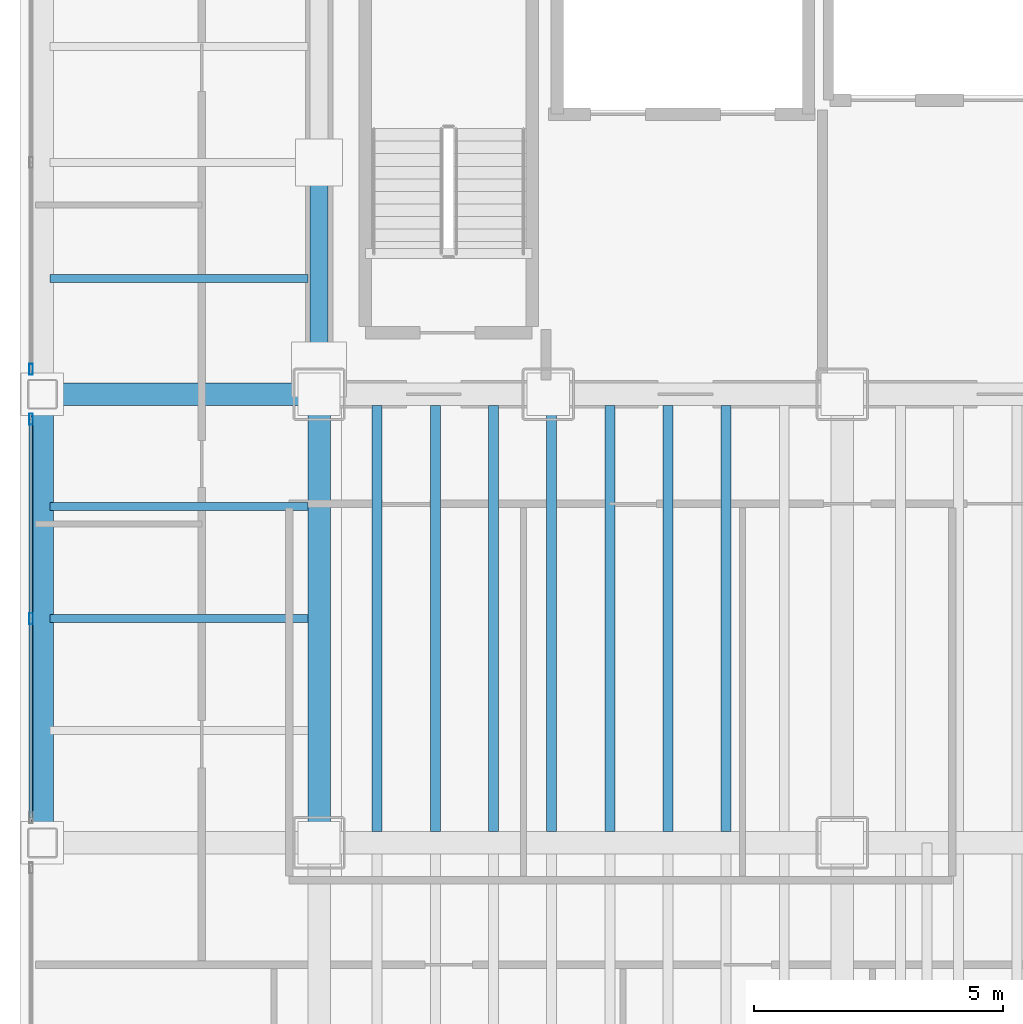
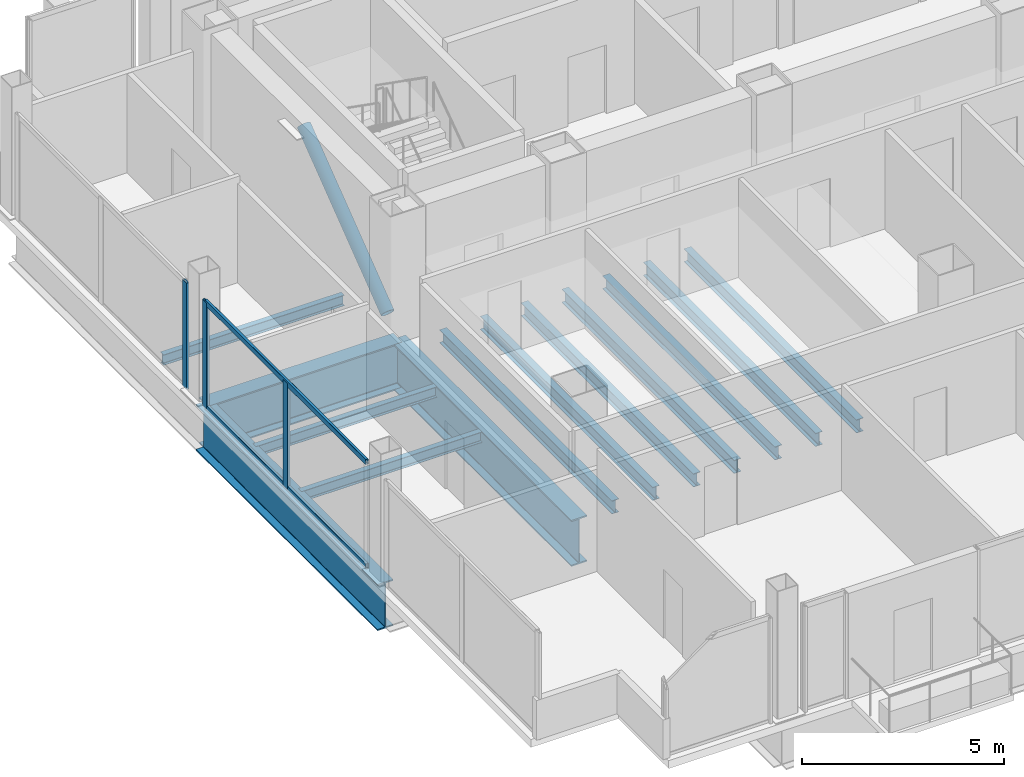
# One storey, part 5 of 21: 13 beams, 6 members, 2 elements without a shape of their own.
"""IFC4 building model written with IfcOpenShell, lengths in metres."""

import ifcopenshell
import ifcopenshell.guid

model = None  # the IFC model being written
_history = None  # IfcOwnerHistory: only IFC2X3 demands one
_inside = {}  # id of a spatial element -> (the spatial element, [elements in it])
_under = {}  # id of a project, library or spatial element -> (it, [spatial elements below it])
_declared = {}  # id of a project -> (the project, [libraries it declares])
_typed = {}  # id of a type object -> (the type object, [elements of that type])
_made_of = {}  # id of a material, layer set ... -> (it, [elements and type objects made of it])


def new_model(schema):
    """Start an empty IFC model of exactly this schema.

    Asked for "IFC4X3", IfcOpenShell would pick the latest addendum, in which some entities
    have other attributes; the version numbers below select the first issue.
    IFC2X3 requires an IfcOwnerHistory on every rooted entity: one is made here for all.
    """
    global model, _history
    if schema == "IFC4X3":
        model = ifcopenshell.file(schema_version=(4, 3, 0, 0))
    else:
        model = ifcopenshell.file(schema=schema)
    _inside.clear()
    _under.clear()
    _declared.clear()
    _typed.clear()
    _made_of.clear()
    _history = None
    if model.schema == "IFC2X3":
        org = make("IfcOrganization", Name="unknown")
        user = make(
            "IfcPersonAndOrganization",
            ThePerson=make("IfcPerson", FamilyName="unknown"),
            TheOrganization=org,
        )
        app = make(
            "IfcApplication",
            ApplicationDeveloper=org,
            Version="unknown",
            ApplicationFullName="unknown",
            ApplicationIdentifier="unknown",
        )
        _history = make(
            "IfcOwnerHistory",
            OwningUser=user,
            OwningApplication=app,
            ChangeAction="ADDED",
            CreationDate=0,
        )
    return model


def make(cls, **values):
    """One entity of the class cls with the attributes given. An attribute that is None is left unset."""
    return model.create_entity(
        cls, **{name: value for name, value in values.items() if value is not None}
    )


def rooted(cls, **values):
    """An entity with a GlobalId (a new one), such as an element, a storey or a relation."""
    return make(cls, GlobalId=ifcopenshell.guid.new(), OwnerHistory=_history, **values)


def si_unit(unit_type, name, prefix=None):
    """IfcSIUnit, for example si_unit("LENGTHUNIT", "METRE", prefix="MILLI")."""
    return make("IfcSIUnit", UnitType=unit_type, Prefix=prefix, Name=name)


def assignment(units):
    """IfcUnitAssignment: the units of a project."""
    return None if units is None else make("IfcUnitAssignment", Units=units)


def point(xyz):
    """IfcCartesianPoint."""
    return None if xyz is None else make("IfcCartesianPoint", Coordinates=xyz)


def direction(xyz):
    """IfcDirection."""
    return None if xyz is None else make("IfcDirection", DirectionRatios=xyz)


def frame(location, z_axis=None, x_axis=None):
    """IfcAxis2Placement3D, a coordinate frame: its origin and axes. An axis left out is left unset."""
    return make(
        "IfcAxis2Placement3D",
        Location=point(location),
        Axis=direction(z_axis),
        RefDirection=direction(x_axis),
    )


def frame_2d(location, x_axis=None):
    """IfcAxis2Placement2D, a coordinate frame in the plane: its origin and x axis."""
    return make(
        "IfcAxis2Placement2D", Location=point(location), RefDirection=direction(x_axis)
    )


def origin():
    """The frame at (0, 0, 0) with its axes left unset."""
    return frame((0.0, 0.0, 0.0))


def origin_2d():
    """The frame at (0, 0) in the plane with its x axis left unset."""
    return frame_2d((0.0, 0.0))


def place(relative_to, where):
    """IfcLocalPlacement: puts the frame where relative to a parent placement (None: the world)."""
    return make(
        "IfcLocalPlacement", PlacementRelTo=relative_to, RelativePlacement=where
    )


def context(
    kind, dimensions, precision=None, world=None, true_north=None, identifier=None
):
    """IfcGeometricRepresentationContext, for example the 3D "Model" context."""
    return make(
        "IfcGeometricRepresentationContext",
        ContextIdentifier=identifier,
        ContextType=kind,
        CoordinateSpaceDimension=dimensions,
        Precision=precision,
        WorldCoordinateSystem=world,
        TrueNorth=true_north,
    )


def subcontext(parent, identifier, kind, view, scale=None):
    """IfcGeometricRepresentationSubContext, for example "Body" below "Model"."""
    return make(
        "IfcGeometricRepresentationSubContext",
        ContextIdentifier=identifier,
        ContextType=kind,
        ParentContext=parent,
        TargetScale=scale,
        TargetView=view,
    )


def project(units=None, contexts=None):
    """IfcProject with its units and contexts."""
    return rooted(
        "IfcProject",
        Name="project",
        RepresentationContexts=contexts,
        UnitsInContext=assignment(units),
    )


def spatial(cls, under=None, at=None, **own):
    """A site, building, storey or space (cls), placed at a placement, below another one or the project."""
    s = rooted(cls, ObjectPlacement=at, **own)
    if under is not None:
        _under.setdefault(under.id(), (under, []))[1].append(s)
    return s


def profile(cls, at=None, kind="AREA", **sizes):
    """A parametric profile (cls). Its sizes go by their IFC names, for example OverallWidth=200.0."""
    return make(cls, ProfileType=kind, Position=at, **sizes)


def hollow_rectangle(**sizes):
    """IfcRectangleHollowProfileDef."""
    return profile("IfcRectangleHollowProfileDef", **sizes)


def hollow_circle(**sizes):
    """IfcCircleHollowProfileDef."""
    return profile("IfcCircleHollowProfileDef", **sizes)


def i_section(**sizes):
    """IfcIShapeProfileDef."""
    return profile("IfcIShapeProfileDef", **sizes)


def extrude(swept, where, along, depth):
    """IfcExtrudedAreaSolid: the profile swept, set in the frame where, extruded along a direction by depth."""
    return make(
        "IfcExtrudedAreaSolid",
        SweptArea=swept,
        Position=where,
        ExtrudedDirection=direction(along),
        Depth=depth,
    )


def shape(context_of_items, identifier, shape_type, items):
    """IfcShapeRepresentation: the items that make up one representation, for example the "Body"."""
    return make(
        "IfcShapeRepresentation",
        ContextOfItems=context_of_items,
        RepresentationIdentifier=identifier,
        RepresentationType=shape_type,
        Items=items,
    )


def material(Name=None, Category=None):
    """IfcMaterial."""
    return make("IfcMaterial", Name=Name, Category=Category)


def material_profile(
    of_material, cross_section, Name=None, Category=None, Priority=None
):
    """IfcMaterialProfile: a cross section and its material."""
    return make(
        "IfcMaterialProfile",
        Name=Name,
        Material=of_material,
        Profile=cross_section,
        Priority=Priority,
        Category=Category,
    )


def profile_set(profiles, Name=None, composite=None):
    """IfcMaterialProfileSet."""
    return make(
        "IfcMaterialProfileSet",
        Name=Name,
        MaterialProfiles=profiles,
        CompositeProfile=composite,
    )


def made_of(thing, what):
    """Note that an element or type object is made of a material, layer set ...; save() writes the relation."""
    if what is not None:
        _made_of.setdefault(what.id(), (what, []))[1].append(thing)
    return thing


def type_object(cls, material=None, **own):
    """A type object (cls), such as IfcWallType, which elements share."""
    return made_of(rooted(cls, **own), material)


def element(
    cls,
    number,
    at=None,
    inside=None,
    cuts=None,
    type_object=None,
    material=None,
    context=None,
    identifier="Body",
    shape_type=None,
    held_by="IfcProductDefinitionShape",
    body=None,
    shapes=None,
    **own,
):
    """One element of the class cls, such as IfcWall. Its Tag is "e" and its number.

    at: its placement. inside: the storey or other place that contains it. cuts: it is an
    opening in that element (IfcRelVoidsElement). A single representation is given by context,
    identifier, shape_type and body (its items); several are given by shapes. held_by: the class
    of the entity that holds the representations. save() writes the other relations.
    """
    e = rooted(cls, Tag="e%d" % number, ObjectPlacement=at, **own)
    if body is not None:
        shapes = [shape(context, identifier, shape_type, body)]
    if shapes is not None:
        e.Representation = make(held_by, Representations=shapes)
    if inside is not None:
        _inside.setdefault(inside.id(), (inside, []))[1].append(e)
    if cuts is not None:
        rooted(
            "IfcRelVoidsElement", RelatingBuildingElement=cuts, RelatedOpeningElement=e
        )
    if type_object is not None:
        _typed.setdefault(type_object.id(), (type_object, []))[1].append(e)
    return made_of(e, material)


def aggregate(whole, parts):
    """IfcRelAggregates: a whole, such as a stair, and the parts it consists of."""
    return rooted("IfcRelAggregates", RelatingObject=whole, RelatedObjects=parts)


def save(model, path):
    """Write the relations noted so far, then the file.

    IfcRelAggregates (storeys below a building ...), IfcRelContainedInSpatialStructure (elements
    in a storey), IfcRelDefinesByType, IfcRelAssociatesMaterial and IfcRelDeclares: one each for
    every whole, place, type object, material and project.
    """
    for whole, parts in _under.values():
        aggregate(whole, parts)
    for where, things in _inside.values():
        rooted(
            "IfcRelContainedInSpatialStructure",
            RelatedElements=things,
            RelatingStructure=where,
        )
    for kind, things in _typed.values():
        rooted("IfcRelDefinesByType", RelatedObjects=things, RelatingType=kind)
    for what, things in _made_of.values():
        rooted("IfcRelAssociatesMaterial", RelatedObjects=things, RelatingMaterial=what)
    for by, libraries in _declared.values():
        rooted("IfcRelDeclares", RelatingContext=by, RelatedDefinitions=libraries)
    model.write(path)


model = new_model("IFC4")

# Units and contexts
model_context = context("Model", 3, precision=1e-05, world=origin(), true_north=direction((0.0, 1.0)))
body_context = subcontext(model_context, "Body", "Model", "MODEL_VIEW")
ifc_project = project(units=[si_unit("LENGTHUNIT", "METRE"), si_unit("AREAUNIT", "SQUARE_METRE"), si_unit("VOLUMEUNIT", "CUBIC_METRE"), si_unit("PLANEANGLEUNIT", "RADIAN"), si_unit("MASSUNIT", "GRAM", prefix="KILO")], contexts=[model_context])

# Site, building, storey
site_placement = place(None, origin())
site = spatial("IfcSite", under=ifc_project, at=site_placement, CompositionType="ELEMENT")
building_placement = place(site_placement, origin())
building = spatial("IfcBuilding", under=site, at=building_placement, Name="Noeulbin Bourse Tower", CompositionType="ELEMENT")
storey_placement = place(building_placement, frame((0.0, 0.0, 81.10009765625)))
storey = spatial("IfcBuildingStorey", under=building, at=storey_placement, Name="L20", CompositionType="ELEMENT", Elevation=81.10009765625)

# Beams
ifc_material_1 = material(Name="Steel S355", Category="steel")
ifc_material_profile_1 = material_profile(ifc_material_1, i_section(OverallWidth=0.159912109375, OverallDepth=0.320068359375, WebThickness=0.006591796875, FlangeThickness=0.010009765625, FilletRadius=0.012939453125, at=origin_2d()), Name="H-320x160x6.5x10", Category="LoadBearing")
ifc_profile_set_1 = profile_set([ifc_material_profile_1], Name="Steel S355")
beam_type_1 = type_object("IfcBeamType", Name="BM-JST-320", PredefinedType="JOIST", material=ifc_profile_set_1)
for number, where, z_axis, x_axis, name in (
    (1, (8.10009765625, 24.5, -0.400146484375), (1.0, 0.0, 0.0), (0.0, 1.0, 0.0), "Wing Composite Joist L20-W71"),
    (2, (8.10009765625, 26.75, -0.400146484375), (1.0, 0.0, 0.0), (0.0, 1.0, 0.0), "Wing Composite Joist L20-W72"),
    (3, (8.10009765625, 31.324951171875, -0.400146484375), (1.0, 0.0, 0.0), (0.0, 1.0, 0.0), "Wing Composite Joist L20-W73"),
):
    element("IfcBeam", number, at=place(storey_placement, frame(where, z_axis=z_axis, x_axis=x_axis)), inside=storey, type_object=beam_type_1, Name=name, PredefinedType="JOIST", context=body_context, shape_type="SweptSolid", body=[
        extrude(i_section(OverallWidth=0.159912109375, OverallDepth=0.320068359375, WebThickness=0.006591796875, FlangeThickness=0.010009765625, FilletRadius=0.012939453125, at=origin_2d()), origin(), (0.0, 0.0, 1.0), 5.1748046875),
    ])
ifc_material_profile_2 = material_profile(ifc_material_1, i_section(OverallWidth=0.199951171875, OverallDepth=0.39990234375, WebThickness=0.008056640625, FlangeThickness=0.012939453125, FilletRadius=0.01611328125, at=origin_2d()), Name="H-400x200x8x13", Category="LoadBearing")
ifc_profile_set_2 = profile_set([ifc_material_profile_2], Name="Steel S355")
beam_type_2 = type_object("IfcBeamType", Name="BM-SEC-400", PredefinedType="BEAM", material=ifc_profile_set_2)
for number, where, z_axis, x_axis, name in (
    (4, (14.666748046875, 20.22509765625, -0.440185546875), (0.0, 1.0, 0.0), (-1.0, 0.0, 0.0), "Tower Composite Joist L20-02"),
    (5, (15.833251953125, 20.22509765625, -0.440185546875), (0.0, 1.0, 0.0), (-1.0, 0.0, 0.0), "Tower Composite Joist L20-05"),
    (6, (17.0, 20.22509765625, -0.440185546875), (0.0, 1.0, 0.0), (-1.0, 0.0, 0.0), "Tower Composite Joist L20-08"),
    (7, (18.166748046875, 20.22509765625, -0.440185546875), (0.0, 1.0, 0.0), (-1.0, 0.0, 0.0), "Tower Composite Joist L20-11"),
    (8, (19.333251953125, 20.22509765625, -0.440185546875), (0.0, 1.0, 0.0), (-1.0, 0.0, 0.0), "Tower Composite Joist L20-14"),
    (9, (20.5, 20.22509765625, -0.440185546875), (0.0, 1.0, 0.0), (-1.0, 0.0, 0.0), "Tower Composite Joist L20-17"),
    (10, (21.666748046875, 20.22509765625, -0.440185546875), (0.0, 1.0, 0.0), (-1.0, 0.0, 0.0), "Tower Composite Joist L20-20"),
):
    element("IfcBeam", number, at=place(storey_placement, frame(where, z_axis=z_axis, x_axis=x_axis)), inside=storey, type_object=beam_type_2, Name=name, PredefinedType="BEAM", context=body_context, shape_type="SweptSolid", body=[
        extrude(i_section(OverallWidth=0.199951171875, OverallDepth=0.39990234375, WebThickness=0.008056640625, FlangeThickness=0.012939453125, FilletRadius=0.01611328125, at=origin_2d()), origin(), (0.0, 0.0, 1.0), 8.5498046875),
    ])
ifc_material_2 = material(Name="Steel S460", Category="steel")
ifc_material_profile_3 = material_profile(ifc_material_2, i_section(OverallWidth=0.449951171875, OverallDepth=1.39990234375, WebThickness=0.02392578125, FlangeThickness=0.0400390625, FilletRadius=0.02392578125, at=origin_2d()), Name="PG-1400x450x24x40", Category="LoadBearing")
ifc_profile_set_3 = profile_set([ifc_material_profile_3], Name="Steel S460")
beam_type_3 = type_object("IfcBeamType", Name="BM-TRF-1400", PredefinedType="USERDEFINED", material=ifc_profile_set_3)
beam_placement = place(storey_placement, frame((7.949951171875, 29.0, -0.940185546875), z_axis=(1.0, 0.0, 0.0), x_axis=(0.0, 1.0, 0.0)))
element("IfcBeam", 11, at=beam_placement, inside=storey, type_object=beam_type_3, Name="Tower Primary Girder EW L20-2.1", ObjectType="GIRDER", PredefinedType="USERDEFINED", context=body_context, shape_type="SweptSolid", body=[
    extrude(i_section(OverallWidth=0.449951171875, OverallDepth=1.39990234375, WebThickness=0.02392578125, FlangeThickness=0.0400390625, FilletRadius=0.02392578125, at=origin_2d()), origin(), (0.0, 0.0, 1.0), 5.550048828125),
])
for number, where, z_axis, x_axis, name in (
    (12, (13.5, 20.0, -0.940185546875), (0.0, 1.0, 0.0), (-1.0, 0.0, 0.0), "Tower Primary Girder NS L20-1.4"),
    (13, (7.949951171875, 20.0, -0.940185546875), (0.0, 1.0, 0.0), (-1.0, 0.0, 0.0), "West Spandrel L20-1"),
):
    element("IfcBeam", number, at=place(storey_placement, frame(where, z_axis=z_axis, x_axis=x_axis)), inside=storey, type_object=beam_type_3, Name=name, ObjectType="GIRDER", PredefinedType="USERDEFINED", context=body_context, shape_type="SweptSolid", body=[
        extrude(i_section(OverallWidth=0.449951171875, OverallDepth=1.39990234375, WebThickness=0.02392578125, FlangeThickness=0.0400390625, FilletRadius=0.02392578125, at=origin_2d()), origin(), (0.0, 0.0, 1.0), 9.0),
    ])

# Curtain wall, members
ifc_material_3 = material(Name="Dark Solar-Control Double Glazing", Category="glass")
curtain_wall_type = type_object("IfcCurtainWallType", Name="CW-SYS-2", PredefinedType="NOTDEFINED", material=ifc_material_3)
curtain_wall_1_placement = place(storey_placement, origin())
curtain_wall_1 = element("IfcCurtainWall", 14, at=curtain_wall_1_placement, inside=storey, type_object=curtain_wall_type, Name="Unitised Curtain Wall CW-L20-W-S2", PredefinedType="NOTDEFINED")
ifc_material_4 = material(Name="Anodised Aluminium 6063-T6", Category="aluminium")
ifc_material_profile_4 = material_profile(ifc_material_4, hollow_rectangle(XDim=0.074951171875, YDim=0.219970703125, WallThickness=0.0048828125, InnerFilletRadius=0.00244140625, OuterFilletRadius=0.0048828125, at=origin_2d()), Name="ALU-MULL-75x220x5", Category="LoadBearing")
ifc_profile_set_4 = profile_set([ifc_material_profile_4], Name="Anodised Aluminium 6063-T6")
member_type_1 = type_object("IfcMemberType", Name="CW-SYS-2-MUL", PredefinedType="MULLION", material=ifc_profile_set_4)
member_1_placement = place(storey_placement, frame((7.719970703125, 24.5, -0.02001953125), z_axis=(0.0, 0.0, 1.0), x_axis=(1.0, 0.0, 0.0)))
member_1 = element("IfcMember", 15, at=member_1_placement, type_object=member_type_1, Name="Curtain Wall Mullion CW-L20-W-S2-M01", PredefinedType="MULLION", context=body_context, shape_type="SweptSolid", body=[
    extrude(hollow_rectangle(XDim=0.074951171875, YDim=0.219970703125, WallThickness=0.0048828125, InnerFilletRadius=0.00244140625, OuterFilletRadius=0.0048828125, at=origin_2d()), origin(), (0.0, 0.0, 1.0), 3.219970703125),
])
member_2_placement = place(storey_placement, frame((7.719970703125, 28.5, -0.02001953125), z_axis=(0.0, 0.0, 1.0), x_axis=(1.0, 0.0, 0.0)))
member_2 = element("IfcMember", 16, at=member_2_placement, type_object=member_type_1, Name="Curtain Wall Mullion CW-L20-W-S2-M02", PredefinedType="MULLION", context=body_context, shape_type="SweptSolid", body=[
    extrude(hollow_rectangle(XDim=0.074951171875, YDim=0.219970703125, WallThickness=0.0048828125, InnerFilletRadius=0.00244140625, OuterFilletRadius=0.0048828125, at=origin_2d()), origin(), (0.0, 0.0, 1.0), 3.219970703125),
])

# Curtain wall, member
curtain_wall_2_placement = place(storey_placement, origin())
curtain_wall_2 = element("IfcCurtainWall", 17, at=curtain_wall_2_placement, inside=storey, type_object=curtain_wall_type, Name="Unitised Curtain Wall CW-L20-W-S3", PredefinedType="NOTDEFINED")
member_3_placement = place(storey_placement, frame((7.719970703125, 29.5, -0.02001953125), z_axis=(0.0, 0.0, 1.0), x_axis=(1.0, 0.0, 0.0)))
member_3 = element("IfcMember", 18, at=member_3_placement, type_object=member_type_1, Name="Curtain Wall Mullion CW-L20-W-S3-M00", PredefinedType="MULLION", context=body_context, shape_type="SweptSolid", body=[
    extrude(hollow_rectangle(XDim=0.074951171875, YDim=0.219970703125, WallThickness=0.0048828125, InnerFilletRadius=0.00244140625, OuterFilletRadius=0.0048828125, at=origin_2d()), origin(), (0.0, 0.0, 1.0), 3.219970703125),
])
aggregate(curtain_wall_2, [member_3])

# Member
ifc_material_profile_5 = material_profile(ifc_material_4, hollow_rectangle(XDim=0.074951171875, YDim=0.159912109375, WallThickness=0.0048828125, InnerFilletRadius=0.00244140625, OuterFilletRadius=0.0048828125, at=origin_2d()), Name="ALU-TRAN-75x160x5", Category="LoadBearing")
ifc_profile_set_5 = profile_set([ifc_material_profile_5], Name="Anodised Aluminium 6063-T6")
member_type_2 = type_object("IfcMemberType", Name="CW-SYS-2-TRN", PredefinedType="USERDEFINED", material=ifc_profile_set_5)
member_4_placement = place(storey_placement, frame((7.719970703125, 20.510009765625, 0.010009765625), z_axis=(0.0, 1.0, 0.0), x_axis=(-1.0, 0.0, 0.0)))
member_4 = element("IfcMember", 19, at=member_4_placement, type_object=member_type_2, Name="Curtain Wall Transom CW-L20-W-S2-T00", ObjectType="TRANSOM", PredefinedType="USERDEFINED", context=body_context, shape_type="SweptSolid", body=[
    extrude(hollow_rectangle(XDim=0.074951171875, YDim=0.159912109375, WallThickness=0.0048828125, InnerFilletRadius=0.00244140625, OuterFilletRadius=0.0048828125, at=origin_2d()), origin(), (0.0, 0.0, 1.0), 7.97998046875),
])

member_5_placement = place(storey_placement, frame((7.719970703125, 20.510009765625, 3.169921875), z_axis=(0.0, 1.0, 0.0), x_axis=(-1.0, 0.0, 0.0)))
member_5 = element("IfcMember", 20, at=member_5_placement, type_object=member_type_2, Name="Curtain Wall Transom CW-L20-W-S2-T01", ObjectType="TRANSOM", PredefinedType="USERDEFINED", context=body_context, shape_type="SweptSolid", body=[
    extrude(hollow_rectangle(XDim=0.074951171875, YDim=0.159912109375, WallThickness=0.0048828125, InnerFilletRadius=0.00244140625, OuterFilletRadius=0.0048828125, at=origin_2d()), origin(), (0.0, 0.0, 1.0), 7.97998046875),
])

aggregate(curtain_wall_1, [member_1, member_2, member_4, member_5])

ifc_material_profile_6 = material_profile(ifc_material_1, hollow_circle(Radius=0.177734375, WallThickness=0.0126953125, at=origin_2d()), Name="CHS-355.6x12.7", Category="LoadBearing")
ifc_profile_set_6 = profile_set([ifc_material_profile_6], Name="Steel S355")
member_type_3 = type_object("IfcMemberType", Name="MEM-EXO-356", PredefinedType="BRACE", material=ifc_profile_set_6)
member_6_placement = place(storey_placement, frame((13.5, 29.5, 0.199951171875), z_axis=(0.0, 0.794684163041, 0.607023130541), x_axis=(-1.0, 0.0, 0.0)))
element("IfcMember", 21, at=member_6_placement, inside=storey, type_object=member_type_3, Name="Core Flank Chevron Brace XT-L20-W1", PredefinedType="BRACE", context=body_context, shape_type="SweptSolid", body=[
    extrude(hollow_circle(Radius=0.177734375, WallThickness=0.0126953125, at=origin_2d()), origin(), (0.0, 0.0, 1.0), 5.22216796875),
])

save(model, "model.ifc")
